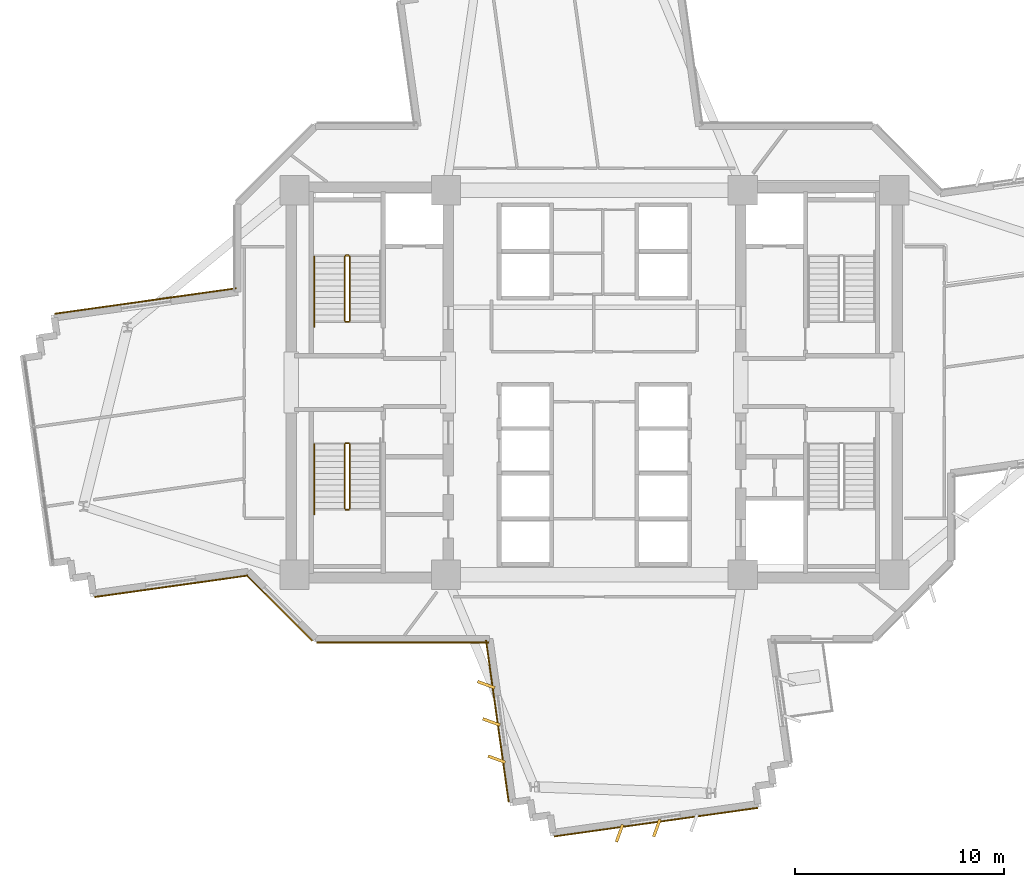
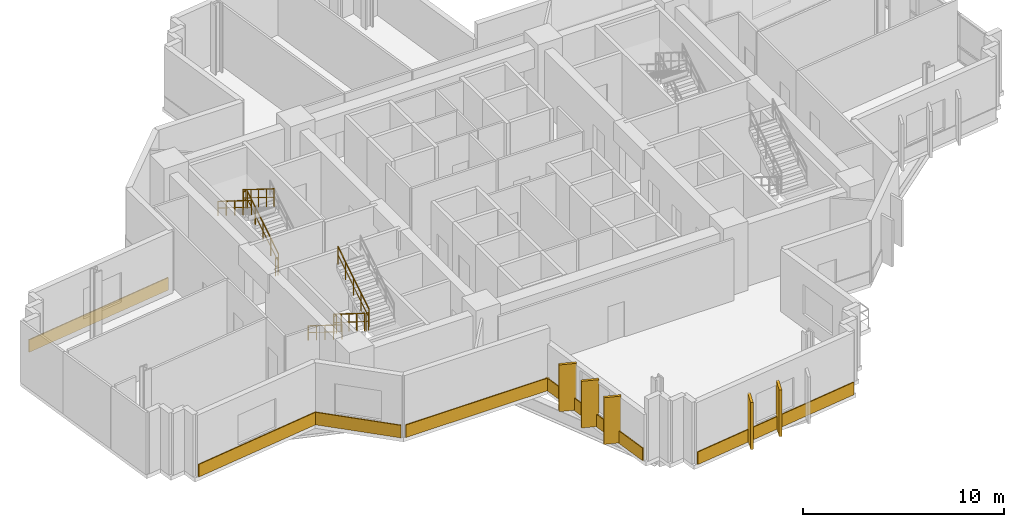
# One storey, part 11 of 14: 11 coverings, 10 railings.
"""IFC4 building model written with IfcOpenShell, lengths in metres."""

from ifc_helpers import new_model, si_unit, direction, frame, origin, origin_2d, place, context, subcontext, project, spatial, rectangle, extrude, source, transform, mapped, material, layer, layer_set, type_object, element, save


model = new_model("IFC4")

# Units and contexts
model_context = context("Model", 3, precision=1e-05, world=origin(), true_north=direction((0.0, 1.0)))
body_context = subcontext(model_context, "Body", "Model", "MODEL_VIEW")
ifc_project = project(units=[si_unit("LENGTHUNIT", "METRE"), si_unit("AREAUNIT", "SQUARE_METRE"), si_unit("VOLUMEUNIT", "CUBIC_METRE"), si_unit("PLANEANGLEUNIT", "RADIAN"), si_unit("MASSUNIT", "GRAM", prefix="KILO")], contexts=[model_context])

# Site, building, storey
site_placement = place(None, origin())
site = spatial("IfcSite", under=ifc_project, at=site_placement, CompositionType="ELEMENT")
building_placement = place(site_placement, origin())
building = spatial("IfcBuilding", under=site, at=building_placement, Name="Zahravan Cultural Tower", CompositionType="ELEMENT")
storey_placement = place(building_placement, frame((0.0, 0.0, 121.5)))
storey = spatial("IfcBuildingStorey", under=building, at=storey_placement, Name="L27", CompositionType="ELEMENT", Elevation=121.5)

# Railings
ifc_material_1 = material(Name="Steel ASTM A572 Grade 50", Category="steel")
railing_type_1 = type_object("IfcRailingType", Name="RL-STAIR-GRD1150", PredefinedType="BALUSTRADE", material=ifc_material_1)
railing_1_placement = place(storey_placement, frame((24.300048828125, 29.949951171875, 0.175048828125)))
element("IfcRailing", 1, at=railing_1_placement, inside=storey, type_object=railing_type_1, Name="L27 ST-W1 stair guard 1", PredefinedType="BALUSTRADE", context=body_context, shape_type="SweptSolid", body=[
    extrude(rectangle(XDim=0.05, YDim=0.05, at=origin_2d()), frame((0.0, 0.0, 1.0751953125), z_axis=(0.0, 0.847998304005, 0.529998940003), x_axis=(-1.0, 0.0, 0.0)), (0.0, 0.0, 1.0), 3.632080078125),
    extrude(rectangle(XDim=0.032, YDim=0.032, at=origin_2d()), frame((0.0, 0.0, 0.572021484375), z_axis=(0.0, 0.847998304005, 0.529998940003), x_axis=(-1.0, 0.0, 0.0)), (0.0, 0.0, 1.0), 3.632080078125),
    extrude(rectangle(XDim=0.04, YDim=0.04, at=origin_2d()), origin(), (0.0, 0.0, 1.0), 1.10009765625),
    extrude(rectangle(XDim=0.04, YDim=0.04, at=origin_2d()), frame((0.0, 0.77001953125, 0.481201171875)), (0.0, 0.0, 1.0), 1.10009765625),
    extrude(rectangle(XDim=0.04, YDim=0.04, at=origin_2d()), frame((0.0, 1.5400390625, 0.96240234375)), (0.0, 0.0, 1.0), 1.10009765625),
    extrude(rectangle(XDim=0.04, YDim=0.04, at=origin_2d()), frame((0.0, 2.31005859375, 1.44384765625)), (0.0, 0.0, 1.0), 1.10009765625),
    extrude(rectangle(XDim=0.04, YDim=0.04, at=origin_2d()), frame((0.0, 3.080078125, 1.925048828125)), (0.0, 0.0, 1.0), 1.10009765625),
])
railing_2_placement = place(storey_placement, frame((24.25, 33.080078125, 2.10009765625)))
element("IfcRailing", 2, at=railing_2_placement, inside=storey, type_object=railing_type_1, Name="L27 ST-W1 stair guard 2", PredefinedType="BALUSTRADE", context=body_context, shape_type="SweptSolid", body=[
    extrude(rectangle(XDim=0.05, YDim=0.05, at=origin_2d()), frame((0.0, 0.0, 1.0751953125), z_axis=(-1.0, 0.0, 0.0), x_axis=(0.0, -1.0, 0.0)), (0.0, 0.0, 1.0), 0.14990234375),
    extrude(rectangle(XDim=0.032, YDim=0.032, at=origin_2d()), frame((0.0, 0.0, 0.572021484375), z_axis=(-1.0, 0.0, 0.0), x_axis=(0.0, -1.0, 0.0)), (0.0, 0.0, 1.0), 0.14990234375),
    extrude(rectangle(XDim=0.04, YDim=0.04, at=origin_2d()), origin(), (0.0, 0.0, 1.0), 1.10009765625),
    extrude(rectangle(XDim=0.04, YDim=0.04, at=origin_2d()), frame((-0.14990234375, 0.0, 0.0)), (0.0, 0.0, 1.0), 1.10009765625),
])
railing_3_placement = place(storey_placement, frame((24.050048828125, 33.030029296875, 2.27490234375)))
element("IfcRailing", 3, at=railing_3_placement, inside=storey, type_object=railing_type_1, Name="L27 ST-W1 stair guard 3", PredefinedType="BALUSTRADE", context=body_context, shape_type="SweptSolid", body=[
    extrude(rectangle(XDim=0.05, YDim=0.05, at=origin_2d()), frame((0.0, 0.0, 1.0751953125), z_axis=(0.0, -0.847998304005, 0.529998940003), x_axis=(1.0, 0.0, 0.0)), (0.0, 0.0, 1.0), 3.632080078125),
    extrude(rectangle(XDim=0.032, YDim=0.032, at=origin_2d()), frame((0.0, 0.0, 0.572021484375), z_axis=(0.0, -0.847998304005, 0.529998940003), x_axis=(1.0, 0.0, 0.0)), (0.0, 0.0, 1.0), 3.632080078125),
    extrude(rectangle(XDim=0.04, YDim=0.04, at=origin_2d()), origin(), (0.0, 0.0, 1.0), 1.10009765625),
    extrude(rectangle(XDim=0.04, YDim=0.04, at=origin_2d()), frame((0.0, -0.77001953125, 0.481201171875)), (0.0, 0.0, 1.0), 1.10009765625),
    extrude(rectangle(XDim=0.04, YDim=0.04, at=origin_2d()), frame((0.0, -1.5400390625, 0.96240234375)), (0.0, 0.0, 1.0), 1.10009765625),
    extrude(rectangle(XDim=0.04, YDim=0.04, at=origin_2d()), frame((0.0, -2.31005859375, 1.44384765625)), (0.0, 0.0, 1.0), 1.10009765625),
    extrude(rectangle(XDim=0.04, YDim=0.04, at=origin_2d()), frame((0.0, -3.080078125, 1.925048828125)), (0.0, 0.0, 1.0), 1.10009765625),
])
railing_4_placement = place(storey_placement, frame((24.25, 29.89990234375, 0.0)))
element("IfcRailing", 4, at=railing_4_placement, inside=storey, type_object=railing_type_1, Name="L27 ST-W1 stair guard 4", PredefinedType="BALUSTRADE", context=body_context, shape_type="SweptSolid", body=[
    extrude(rectangle(XDim=0.05, YDim=0.05, at=origin_2d()), frame((0.0, 0.0, 1.0751953125), z_axis=(-1.0, 0.0, 0.0), x_axis=(0.0, -1.0, 0.0)), (0.0, 0.0, 1.0), 0.14990234375),
    extrude(rectangle(XDim=0.032, YDim=0.032, at=origin_2d()), frame((0.0, 0.0, 0.572021484375), z_axis=(-1.0, 0.0, 0.0), x_axis=(0.0, -1.0, 0.0)), (0.0, 0.0, 1.0), 0.14990234375),
    extrude(rectangle(XDim=0.04, YDim=0.04, at=origin_2d()), origin(), (0.0, 0.0, 1.0), 1.10009765625),
    extrude(rectangle(XDim=0.04, YDim=0.04, at=origin_2d()), frame((-0.14990234375, 0.0, 0.0)), (0.0, 0.0, 1.0), 1.10009765625),
])
railing_5_placement = place(storey_placement, frame((24.050048828125, 24.050048828125, 0.175048828125)))
element("IfcRailing", 5, at=railing_5_placement, inside=storey, type_object=railing_type_1, Name="L27 ST-W2 stair guard 1", PredefinedType="BALUSTRADE", context=body_context, shape_type="SweptSolid", body=[
    extrude(rectangle(XDim=0.05, YDim=0.05, at=origin_2d()), frame((0.0, 0.0, 1.0751953125), z_axis=(0.0, -0.847998304005, 0.529998940003), x_axis=(1.0, 0.0, 0.0)), (0.0, 0.0, 1.0), 3.632080078125),
    extrude(rectangle(XDim=0.032, YDim=0.032, at=origin_2d()), frame((0.0, 0.0, 0.572021484375), z_axis=(0.0, -0.847998304005, 0.529998940003), x_axis=(1.0, 0.0, 0.0)), (0.0, 0.0, 1.0), 3.632080078125),
    extrude(rectangle(XDim=0.04, YDim=0.04, at=origin_2d()), origin(), (0.0, 0.0, 1.0), 1.10009765625),
    extrude(rectangle(XDim=0.04, YDim=0.04, at=origin_2d()), frame((0.0, -0.77001953125, 0.481201171875)), (0.0, 0.0, 1.0), 1.10009765625),
    extrude(rectangle(XDim=0.04, YDim=0.04, at=origin_2d()), frame((0.0, -1.5400390625, 0.96240234375)), (0.0, 0.0, 1.0), 1.10009765625),
    extrude(rectangle(XDim=0.04, YDim=0.04, at=origin_2d()), frame((0.0, -2.31005859375, 1.44384765625)), (0.0, 0.0, 1.0), 1.10009765625),
    extrude(rectangle(XDim=0.04, YDim=0.04, at=origin_2d()), frame((0.0, -3.080078125, 1.925048828125)), (0.0, 0.0, 1.0), 1.10009765625),
])
railing_6_placement = place(storey_placement, frame((24.10009765625, 20.919921875, 2.10009765625)))
element("IfcRailing", 6, at=railing_6_placement, inside=storey, type_object=railing_type_1, Name="L27 ST-W2 stair guard 2", PredefinedType="BALUSTRADE", context=body_context, shape_type="SweptSolid", body=[
    extrude(rectangle(XDim=0.05, YDim=0.05, at=origin_2d()), frame((0.0, 0.0, 1.0751953125), z_axis=(1.0, 0.0, 0.0), x_axis=(0.0, 1.0, 0.0)), (0.0, 0.0, 1.0), 0.14990234375),
    extrude(rectangle(XDim=0.032, YDim=0.032, at=origin_2d()), frame((0.0, 0.0, 0.572021484375), z_axis=(1.0, 0.0, 0.0), x_axis=(0.0, 1.0, 0.0)), (0.0, 0.0, 1.0), 0.14990234375),
    extrude(rectangle(XDim=0.04, YDim=0.04, at=origin_2d()), origin(), (0.0, 0.0, 1.0), 1.10009765625),
    extrude(rectangle(XDim=0.04, YDim=0.04, at=origin_2d()), frame((0.14990234375, 0.0, 0.0)), (0.0, 0.0, 1.0), 1.10009765625),
])
railing_7_placement = place(storey_placement, frame((24.300048828125, 20.969970703125, 2.27490234375)))
element("IfcRailing", 7, at=railing_7_placement, inside=storey, type_object=railing_type_1, Name="L27 ST-W2 stair guard 3", PredefinedType="BALUSTRADE", context=body_context, shape_type="SweptSolid", body=[
    extrude(rectangle(XDim=0.05, YDim=0.05, at=origin_2d()), frame((0.0, 0.0, 1.0751953125), z_axis=(0.0, 0.847998304005, 0.529998940003), x_axis=(-1.0, 0.0, 0.0)), (0.0, 0.0, 1.0), 3.632080078125),
    extrude(rectangle(XDim=0.032, YDim=0.032, at=origin_2d()), frame((0.0, 0.0, 0.572021484375), z_axis=(0.0, 0.847998304005, 0.529998940003), x_axis=(-1.0, 0.0, 0.0)), (0.0, 0.0, 1.0), 3.632080078125),
    extrude(rectangle(XDim=0.04, YDim=0.04, at=origin_2d()), origin(), (0.0, 0.0, 1.0), 1.10009765625),
    extrude(rectangle(XDim=0.04, YDim=0.04, at=origin_2d()), frame((0.0, 0.77001953125, 0.481201171875)), (0.0, 0.0, 1.0), 1.10009765625),
    extrude(rectangle(XDim=0.04, YDim=0.04, at=origin_2d()), frame((0.0, 1.5400390625, 0.96240234375)), (0.0, 0.0, 1.0), 1.10009765625),
    extrude(rectangle(XDim=0.04, YDim=0.04, at=origin_2d()), frame((0.0, 2.31005859375, 1.44384765625)), (0.0, 0.0, 1.0), 1.10009765625),
    extrude(rectangle(XDim=0.04, YDim=0.04, at=origin_2d()), frame((0.0, 3.080078125, 1.925048828125)), (0.0, 0.0, 1.0), 1.10009765625),
])
railing_8_placement = place(storey_placement, frame((24.10009765625, 24.10009765625, 0.0)))
element("IfcRailing", 8, at=railing_8_placement, inside=storey, type_object=railing_type_1, Name="L27 ST-W2 stair guard 4", PredefinedType="BALUSTRADE", context=body_context, shape_type="SweptSolid", body=[
    extrude(rectangle(XDim=0.05, YDim=0.05, at=origin_2d()), frame((0.0, 0.0, 1.0751953125), z_axis=(1.0, 0.0, 0.0), x_axis=(0.0, 1.0, 0.0)), (0.0, 0.0, 1.0), 0.14990234375),
    extrude(rectangle(XDim=0.032, YDim=0.032, at=origin_2d()), frame((0.0, 0.0, 0.572021484375), z_axis=(1.0, 0.0, 0.0), x_axis=(0.0, 1.0, 0.0)), (0.0, 0.0, 1.0), 0.14990234375),
    extrude(rectangle(XDim=0.04, YDim=0.04, at=origin_2d()), origin(), (0.0, 0.0, 1.0), 1.10009765625),
    extrude(rectangle(XDim=0.04, YDim=0.04, at=origin_2d()), frame((0.14990234375, 0.0, 0.0)), (0.0, 0.0, 1.0), 1.10009765625),
])
railing_type_2 = type_object("IfcRailingType", Name="RL-STAIR-HR900", PredefinedType="HANDRAIL", material=ifc_material_1)
railing_9_placement = place(storey_placement, frame((22.60009765625, 33.030029296875, 2.27490234375)))
element("IfcRailing", 9, at=railing_9_placement, inside=storey, type_object=railing_type_2, Name="L27 ST-W1 stair handrail 2", PredefinedType="HANDRAIL", context=body_context, shape_type="SweptSolid", body=[
    extrude(rectangle(XDim=0.05, YDim=0.05, at=origin_2d()), frame((0.0, 0.0, 0.875), z_axis=(0.0, -0.847994842521, 0.530004478338), x_axis=(1.0, 0.0, 0.0)), (0.0, 0.0, 1.0), 3.96240234375),
    extrude(rectangle(XDim=0.032, YDim=0.032, at=origin_2d()), frame((0.0, 0.0, 0.468017578125), z_axis=(0.0, -0.847994842521, 0.530004478338), x_axis=(1.0, 0.0, 0.0)), (0.0, 0.0, 1.0), 3.96240234375),
    extrude(rectangle(XDim=0.04, YDim=0.04, at=origin_2d()), origin(), (0.0, 0.0, 1.0), 0.89990234375),
    extrude(rectangle(XDim=0.04, YDim=0.04, at=origin_2d()), frame((0.0, -0.840087890625, 0.52490234375)), (0.0, 0.0, 1.0), 0.89990234375),
    extrude(rectangle(XDim=0.04, YDim=0.04, at=origin_2d()), frame((0.0, -1.68017578125, 1.050048828125)), (0.0, 0.0, 1.0), 0.89990234375),
    extrude(rectangle(XDim=0.04, YDim=0.04, at=origin_2d()), frame((0.0, -2.52001953125, 1.5751953125)), (0.0, 0.0, 1.0), 0.89990234375),
    extrude(rectangle(XDim=0.04, YDim=0.04, at=origin_2d()), frame((0.0, -3.360107421875, 2.10009765625)), (0.0, 0.0, 1.0), 0.89990234375),
])
railing_10_placement = place(storey_placement, frame((22.60009765625, 24.050048828125, 0.175048828125)))
element("IfcRailing", 10, at=railing_10_placement, inside=storey, type_object=railing_type_2, Name="L27 ST-W2 stair handrail 1", PredefinedType="HANDRAIL", context=body_context, shape_type="SweptSolid", body=[
    extrude(rectangle(XDim=0.05, YDim=0.05, at=origin_2d()), frame((0.0, 0.0, 0.875), z_axis=(0.0, -0.848022534174, 0.529960169762), x_axis=(1.0, 0.0, 0.0)), (0.0, 0.0, 1.0), 3.96240234375),
    extrude(rectangle(XDim=0.032, YDim=0.032, at=origin_2d()), frame((0.0, 0.0, 0.468017578125), z_axis=(0.0, -0.848022534174, 0.529960169762), x_axis=(1.0, 0.0, 0.0)), (0.0, 0.0, 1.0), 3.96240234375),
    extrude(rectangle(XDim=0.04, YDim=0.04, at=origin_2d()), origin(), (0.0, 0.0, 1.0), 0.89990234375),
    extrude(rectangle(XDim=0.04, YDim=0.04, at=origin_2d()), frame((0.0, -0.840087890625, 0.52490234375)), (0.0, 0.0, 1.0), 0.89990234375),
    extrude(rectangle(XDim=0.04, YDim=0.04, at=origin_2d()), frame((0.0, -1.68017578125, 1.0498046875)), (0.0, 0.0, 1.0), 0.89990234375),
    extrude(rectangle(XDim=0.04, YDim=0.04, at=origin_2d()), frame((0.0, -2.52001953125, 1.574951171875)), (0.0, 0.0, 1.0), 0.89990234375),
    extrude(rectangle(XDim=0.04, YDim=0.04, at=origin_2d()), frame((0.0, -3.360107421875, 2.099853515625)), (0.0, 0.0, 1.0), 0.89990234375),
])

# Coverings
ifc_material_2 = material(Name="Terracotta ceramic cladding", Category="masonry")
ifc_layer = layer(ifc_material_2, 0.06005859375)
ifc_layer_set = layer_set([ifc_layer], Name="Terracotta ceramic cladding")
covering_type = type_object("IfcCoveringType", Name="COV-CLAD-TC60", PredefinedType="CLADDING", material=ifc_layer_set)
shared_shape_1 = source(origin(), body_context, "Body", "SweptSolid", [
    extrude(rectangle(XDim=9.820068359375, YDim=0.06005859375, at=origin_2d()), origin(), (0.0, 0.0, 1.0), 0.760009765625),
])
covering_1_placement = place(storey_placement, frame((38.949462890625, 5.960693359375, 0.02001953125), z_axis=(0.0, 0.0, 1.0), x_axis=(-0.990316588987, -0.138827423723, 0.0)))
element("IfcCovering", 11, at=covering_1_placement, inside=storey, type_object=covering_type, Name="L27 Terracotta Spandrel Cladding 19", PredefinedType="CLADDING", context=body_context, shape_type="MappedRepresentation", body=[
    mapped(shared_shape_1, transform((0.0, 0.0, 0.0), x_axis=(1.0, 0.0, 0.0), y_axis=(0.0, 1.0, 0.0), z_axis=(0.0, 0.0, 1.0), scale=1.0)),
])
shared_shape_2 = source(origin(), body_context, "Body", "SweptSolid", [
    extrude(rectangle(XDim=7.40869140625, YDim=0.06005859375, at=origin_2d()), origin(), (0.0, 0.0, 1.0), 0.760009765625),
])
covering_2_placement = place(storey_placement, frame((15.751708984375, 17.24951171875, 0.02001953125), z_axis=(0.0, 0.0, 1.0), x_axis=(-0.990319011832, -0.138810139416, 0.0)))
element("IfcCovering", 12, at=covering_2_placement, inside=storey, type_object=covering_type, Name="L27 Terracotta Spandrel Cladding 27", PredefinedType="CLADDING", context=body_context, shape_type="MappedRepresentation", body=[
    mapped(shared_shape_2, transform((0.0, 0.0, 0.0), x_axis=(1.0, 0.0, 0.0), y_axis=(0.0, 1.0, 0.0), z_axis=(0.0, 0.0, 1.0), scale=1.0)),
])
shared_shape_3 = source(origin(), body_context, "Body", "SweptSolid", [
    extrude(rectangle(XDim=8.766845703125, YDim=0.06005859375, at=origin_2d()), origin(), (0.0, 0.0, 1.0), 0.760009765625),
])
covering_3_placement = place(storey_placement, frame((14.52392578125, 30.9013671875, 0.02001953125), z_axis=(0.0, 0.0, 1.0), x_axis=(0.990316588987, 0.138827423723, 0.0)))
element("IfcCovering", 13, at=covering_3_placement, inside=storey, type_object=covering_type, Name="L27 Terracotta Spandrel Cladding 36", PredefinedType="CLADDING", context=body_context, shape_type="MappedRepresentation", body=[
    mapped(shared_shape_3, transform((0.0, 0.0, 0.0), x_axis=(1.0, 0.0, 0.0), y_axis=(0.0, 1.0, 0.0), z_axis=(0.0, 0.0, 1.0), scale=1.0)),
])
shared_shape_4 = source(origin(), body_context, "Body", "SweptSolid", [
    extrude(rectangle(XDim=7.813720703125, YDim=0.06005859375, at=origin_2d()), origin(), (0.0, 0.0, 1.0), 0.760009765625),
])
covering_4_placement = place(storey_placement, frame((31.359619140625, 10.7958984375, 0.02001953125), z_axis=(0.0, 0.0, 1.0), x_axis=(-0.138827423723, 0.990316588987, 0.0)))
element("IfcCovering", 14, at=covering_4_placement, inside=storey, type_object=covering_type, Name="L27 Terracotta Spandrel Cladding 24", PredefinedType="CLADDING", context=body_context, shape_type="MappedRepresentation", body=[
    mapped(shared_shape_4, transform((0.0, 0.0, 0.0), x_axis=(1.0, 0.0, 0.0), y_axis=(0.0, 1.0, 0.0), z_axis=(0.0, 0.0, 1.0), scale=1.0)),
])
shared_shape_5 = source(origin(), body_context, "Body", "SweptSolid", [
    extrude(rectangle(XDim=8.235595703125, YDim=0.06005859375, at=origin_2d()), origin(), (0.0, 0.0, 1.0), 0.760009765625),
])
covering_5_placement = place(storey_placement, frame((26.82568359375, 14.554931640625, 0.02001953125), z_axis=(0.0, 0.0, 1.0), x_axis=(-1.0, 0.0, 0.0)))
element("IfcCovering", 15, at=covering_5_placement, inside=storey, type_object=covering_type, Name="L27 Terracotta Spandrel Cladding 25", PredefinedType="CLADDING", context=body_context, shape_type="MappedRepresentation", body=[
    mapped(shared_shape_5, transform((0.0, 0.0, 0.0), x_axis=(1.0, 0.0, 0.0), y_axis=(0.0, 1.0, 0.0), z_axis=(0.0, 0.0, 1.0), scale=1.0)),
])
shared_shape_6 = source(origin(), body_context, "Body", "SweptSolid", [
    extrude(rectangle(XDim=4.445068359375, YDim=0.06005859375, at=origin_2d()), origin(), (0.0, 0.0, 1.0), 0.760009765625),
])
covering_6_placement = place(storey_placement, frame((20.920166015625, 16.216064453125, 0.02001953125), z_axis=(0.0, 0.0, 1.0), x_axis=(-0.707106781187, 0.707106781187, 0.0)))
element("IfcCovering", 16, at=covering_6_placement, inside=storey, type_object=covering_type, Name="L27 Terracotta Spandrel Cladding 26", PredefinedType="CLADDING", context=body_context, shape_type="MappedRepresentation", body=[
    mapped(shared_shape_6, transform((0.0, 0.0, 0.0), x_axis=(1.0, 0.0, 0.0), y_axis=(0.0, 1.0, 0.0), z_axis=(0.0, 0.0, 1.0), scale=1.0)),
])
shared_shape_7 = source(origin(), body_context, "Body", "SweptSolid", [
    extrude(rectangle(XDim=0.8798828125, YDim=0.139892578125, at=origin_2d()), origin(), (0.0, 0.0, 1.0), 2.830078125),
])
for number, where, z_axis, x_axis, name in (
    (17, (38.989013671875, 5.678466796875, 0.050048828125), (0.0, 0.0, 1.0), (-0.342348137086, -0.939573175987, 0.0), "L27 Herringbone Terracotta Fin 13"),
    (18, (37.206298828125, 5.4287109375, 0.050048828125), (0.0, 0.0, 1.0), (-0.342348137086, -0.939573175987, 0.0), "L27 Herringbone Terracotta Fin 14"),
    (19, (31.327392578125, 8.9736328125, 0.050048828125), (0.0, 0.0, 1.0), (-0.939573175987, 0.342348137086, 0.0), "L27 Herringbone Terracotta Fin 15"),
    (20, (31.077392578125, 10.756103515625, 0.050048828125), (0.0, 0.0, 1.0), (-0.939573175987, 0.342348137086, 0.0), "L27 Herringbone Terracotta Fin 16"),
    (21, (30.827392578125, 12.538818359375, 0.050048828125), (0.0, 0.0, 1.0), (-0.939573175987, 0.342348137086, 0.0), "L27 Herringbone Terracotta Fin 17"),
):
    element("IfcCovering", number, at=place(storey_placement, frame(where, z_axis=z_axis, x_axis=x_axis)), inside=storey, type_object=covering_type, Name=name, PredefinedType="CLADDING", context=body_context, shape_type="MappedRepresentation", body=[
        mapped(shared_shape_7, transform((0.0, 0.0, 0.0), x_axis=(1.0, 0.0, 0.0), y_axis=(0.0, 1.0, 0.0), z_axis=(0.0, 0.0, 1.0), scale=1.0)),
    ])

save(model, "model.ifc")
